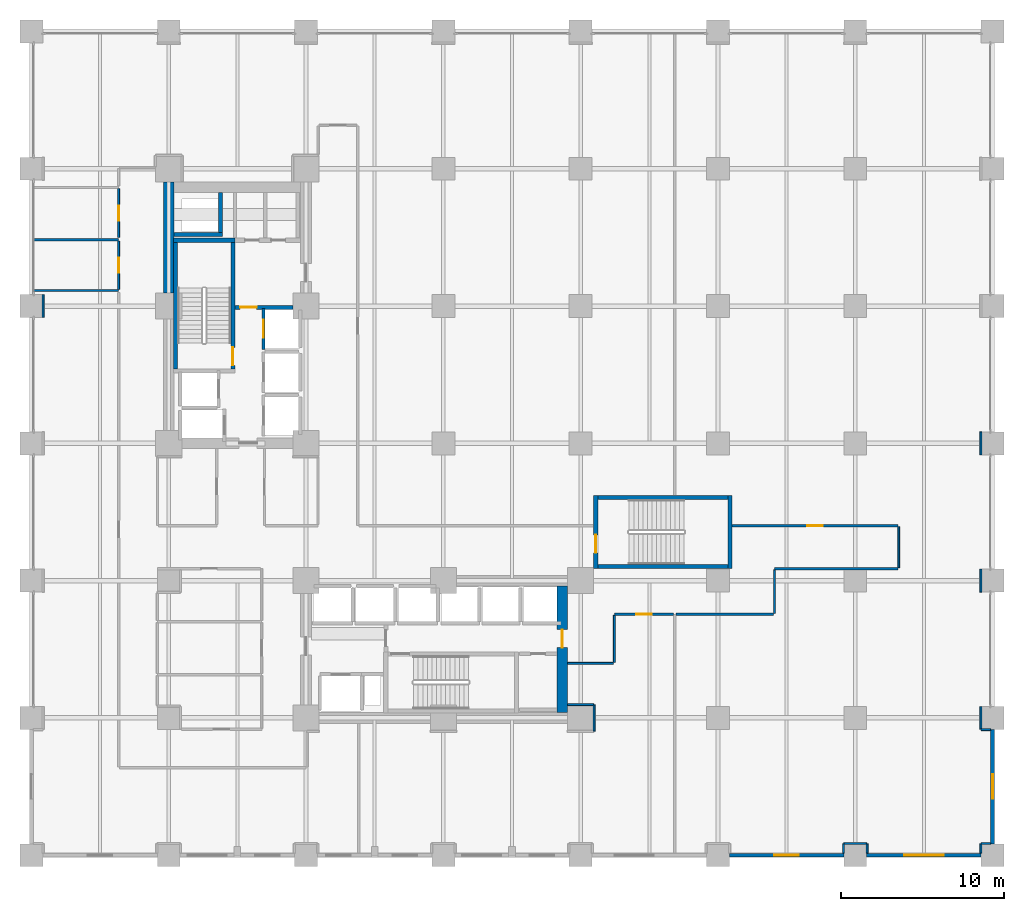
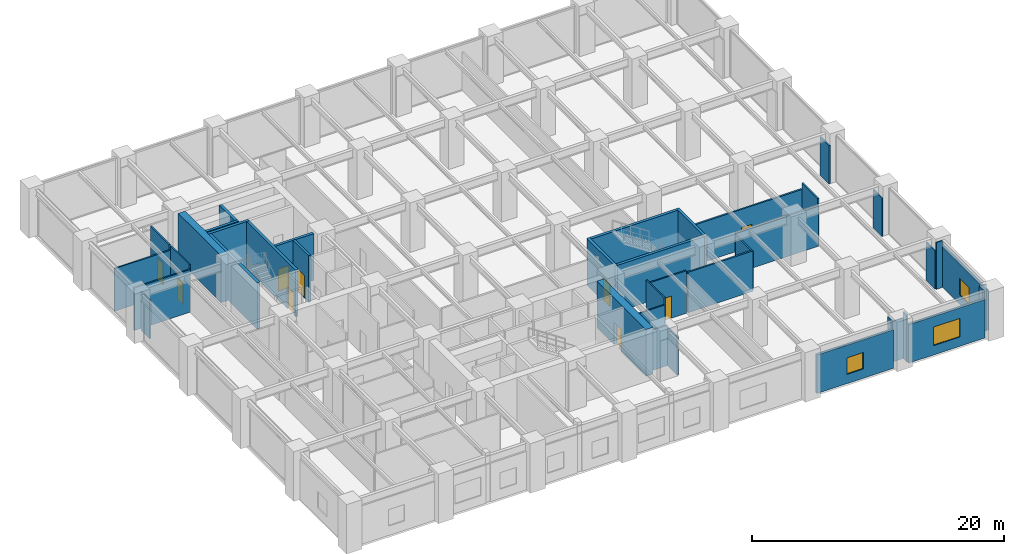
# One storey, part 21 of 23: 40 walls, 9 doors, 3 windows, 12 openings.
"""IFC4 building model written with IfcOpenShell, lengths in metres."""

from ifc_helpers import new_model, si_unit, direction, frame, frame_2d, origin, place, context, subcontext, project, spatial, rectangle, extrude, material, layer, layer_set, type_object, element, fill, save


model = new_model("IFC4")

# Units and contexts
model_context = context("Model", 3, precision=1e-05, world=origin(), true_north=direction((0.0, 1.0)))
body_context = subcontext(model_context, "Body", "Model", "MODEL_VIEW")
ifc_project = project(units=[si_unit("LENGTHUNIT", "METRE"), si_unit("AREAUNIT", "SQUARE_METRE"), si_unit("VOLUMEUNIT", "CUBIC_METRE"), si_unit("PLANEANGLEUNIT", "RADIAN"), si_unit("MASSUNIT", "GRAM", prefix="KILO")], contexts=[model_context])

# Site, building, storey
site_placement = place(None, origin())
site = spatial("IfcSite", under=ifc_project, at=site_placement, CompositionType="ELEMENT")
building_placement = place(site_placement, origin())
building = spatial("IfcBuilding", under=site, at=building_placement, Name="Nerrivon Quay Data Exchange", CompositionType="ELEMENT")
storey_placement = place(building_placement, frame((0.0, 0.0, 5.39990234375)))
storey = spatial("IfcBuildingStorey", under=building, at=storey_placement, Name="L01", CompositionType="ELEMENT", Elevation=5.39990234375)

# Wall, opening, window
ifc_material_1 = material(Name="Architectural terracotta precast concrete N50 (50 MPa)", Category="masonry")
ifc_layer_1 = layer(ifc_material_1, 0.239990234375)
ifc_layer_set_1 = layer_set([ifc_layer_1], Name="Architectural terracotta precast concrete N50 (50 MPa)")
wall_type_1 = type_object("IfcWallType", Name="EW-PREC-240", PredefinedType="STANDARD", material=ifc_layer_set_1)
wall_1_placement = place(storey_placement, frame((58.800048828125, 7.699951171875, 0.0), z_axis=(0.0, 0.0, 1.0), x_axis=(0.0, -1.0, 0.0)))
wall_1 = element("IfcWall", 1, at=wall_1_placement, inside=storey, type_object=wall_type_1, Name="L01 Podium Precast Spandrel Wall 19", PredefinedType="STANDARD", context=body_context, shape_type="SweptSolid", body=[
    extrude(rectangle(XDim=7.0, YDim=0.239990234375, at=frame_2d((3.5, 0.0))), origin(), (0.0, 0.0, 1.0), 3.9130859375),
])
opening_1_placement = place(wall_1_placement, frame((2.75, 0.0, 0.89990234375)))
opening_1 = element("IfcOpeningElement", 2, at=opening_1_placement, cuts=wall_1, Name="Opening WN4", PredefinedType="OPENING", context=body_context, shape_type="SweptSolid", body=[
    extrude(rectangle(XDim=1.5, YDim=1.60009765625, at=frame_2d((0.75, 0.800048828125))), frame((0.0, 0.1298828125, 0.0), z_axis=(0.0, -1.0, 0.0), x_axis=(1.0, 0.0, 0.0)), (0.0, 0.0, 1.0), 0.260009765625),
])
ifc_material_2 = material(Name="Double-glazed low-E solar control glass", Category="glass")
window_type_1 = type_object("IfcWindowType", Name="WIN-W4-1500x1600", PartitioningType="SINGLE_PANEL", PredefinedType="WINDOW", material=ifc_material_2)
window_1_placement = place(opening_1_placement, origin())
window_1 = element("IfcWindow", 3, at=window_1_placement, inside=storey, type_object=window_type_1, Name="L01 Solar Facade Window 19", OverallHeight=1.60009765625, OverallWidth=1.5, PartitioningType="SINGLE_PANEL", PredefinedType="WINDOW", context=body_context, shape_type="SweptSolid", body=[
    extrude(rectangle(XDim=1.5, YDim=1.60009765625, at=frame_2d((0.75, 0.800048828125))), frame((0.0, 0.030029296875, 0.0), z_axis=(0.0, -1.0, 0.0), x_axis=(1.0, 0.0, 0.0)), (0.0, 0.0, 1.0), 0.06005859375),
])
fill(opening_1, window_1)

wall_2_placement = place(storey_placement, frame((58.10009765625, 0.0, 0.0), z_axis=(0.0, 0.0, 1.0), x_axis=(-1.0, 0.0, 0.0)))
wall_2 = element("IfcWall", 4, at=wall_2_placement, inside=storey, type_object=wall_type_1, Name="L01 Podium Precast Spandrel Wall 20", PredefinedType="STANDARD", context=body_context, shape_type="SweptSolid", body=[
    extrude(rectangle(XDim=7.0, YDim=0.239990234375, at=frame_2d((3.5, 0.0))), origin(), (0.0, 0.0, 1.0), 3.72509765625),
])
opening_2_placement = place(wall_2_placement, frame((2.300048828125, 0.0, 0.89990234375)))
opening_2 = element("IfcOpeningElement", 5, at=opening_2_placement, cuts=wall_2, Name="Opening WN1", PredefinedType="OPENING", context=body_context, shape_type="SweptSolid", body=[
    extrude(rectangle(XDim=2.39990234375, YDim=1.800048828125, at=frame_2d((1.199951171875, 0.89990234375))), frame((0.0, 0.1298828125, 0.0), z_axis=(0.0, -1.0, 0.0), x_axis=(1.0, 0.0, 0.0)), (0.0, 0.0, 1.0), 0.260009765625),
])
window_type_2 = type_object("IfcWindowType", Name="WIN-W1-2400x1800", PartitioningType="SINGLE_PANEL", PredefinedType="WINDOW", material=ifc_material_2)
window_2_placement = place(opening_2_placement, origin())
window_2 = element("IfcWindow", 6, at=window_2_placement, inside=storey, type_object=window_type_2, Name="L01 Solar Facade Window 20", OverallHeight=1.800048828125, OverallWidth=2.39990234375, PartitioningType="SINGLE_PANEL", PredefinedType="WINDOW", context=body_context, shape_type="SweptSolid", body=[
    extrude(rectangle(XDim=2.39990234375, YDim=1.800048828125, at=frame_2d((1.199951171875, 0.89990234375))), frame((0.0, 0.030029296875, 0.0), z_axis=(0.0, -1.0, 0.0), x_axis=(1.0, 0.0, 0.0)), (0.0, 0.0, 1.0), 0.06005859375),
])
fill(opening_2, window_2)

wall_3_placement = place(storey_placement, frame((49.699951171875, 0.0, 0.0), z_axis=(0.0, 0.0, 1.0), x_axis=(-1.0, 0.0, 0.0)))
wall_3 = element("IfcWall", 7, at=wall_3_placement, inside=storey, type_object=wall_type_1, Name="L01 Podium Precast Spandrel Wall 21", PredefinedType="STANDARD", context=body_context, shape_type="SweptSolid", body=[
    extrude(rectangle(XDim=7.0, YDim=0.239990234375, at=frame_2d((3.5, 0.0))), origin(), (0.0, 0.0, 1.0), 3.72509765625),
])
opening_3_placement = place(wall_3_placement, frame((2.75, 0.0, 0.89990234375)))
opening_3 = element("IfcOpeningElement", 8, at=opening_3_placement, cuts=wall_3, Name="Opening WN4", PredefinedType="OPENING", context=body_context, shape_type="SweptSolid", body=[
    extrude(rectangle(XDim=1.5, YDim=1.60009765625, at=frame_2d((0.75, 0.800048828125))), frame((0.0, 0.1298828125, 0.0), z_axis=(0.0, -1.0, 0.0), x_axis=(1.0, 0.0, 0.0)), (0.0, 0.0, 1.0), 0.260009765625),
])
window_3_placement = place(opening_3_placement, origin())
window_3 = element("IfcWindow", 9, at=window_3_placement, inside=storey, type_object=window_type_1, Name="L01 Solar Facade Window 21", OverallHeight=1.60009765625, OverallWidth=1.5, PartitioningType="SINGLE_PANEL", PredefinedType="WINDOW", context=body_context, shape_type="SweptSolid", body=[
    extrude(rectangle(XDim=1.5, YDim=1.60009765625, at=frame_2d((0.75, 0.800048828125))), frame((0.0, 0.030029296875, 0.0), z_axis=(0.0, -1.0, 0.0), x_axis=(1.0, 0.0, 0.0)), (0.0, 0.0, 1.0), 0.06005859375),
])
fill(opening_3, window_3)

# Wall
ifc_material_3 = material(Name="Concrete N80 (80 MPa)", Category="concrete")
ifc_layer_2 = layer(ifc_material_3, 0.64990234375)
ifc_layer_set_2 = layer_set([ifc_layer_2], Name="Concrete N80 (80 MPa)")
wall_type_2 = type_object("IfcWallType", Name="WALL-CW-850", PredefinedType="SHEAR", material=ifc_layer_set_2)
wall_4_placement = place(storey_placement, frame((8.39990234375, 34.39990234375, 0.0), z_axis=(0.0, 0.0, 1.0), x_axis=(0.0, 1.0, 0.0)))
element("IfcWall", 10, at=wall_4_placement, inside=storey, type_object=wall_type_2, Name="L01 West Split-Core Shear Wall WCW-W2", PredefinedType="SHEAR", context=body_context, shape_type="SweptSolid", body=[
    extrude(rectangle(XDim=6.800048828125, YDim=0.64990234375, at=frame_2d((3.39990234375, 0.0))), origin(), (0.0, 0.0, 1.0), 4.525146484375),
])

# Wall, opening, door
wall_5_placement = place(storey_placement, frame((32.47509765625, 8.72509765625, 0.0), z_axis=(0.0, 0.0, 1.0), x_axis=(0.0, 1.0, 0.0)))
wall_5 = element("IfcWall", 11, at=wall_5_placement, inside=storey, type_object=wall_type_2, Name="L01 East Split-Core Shear Wall ECW-E1", PredefinedType="SHEAR", context=body_context, shape_type="SweptSolid", body=[
    extrude(rectangle(XDim=7.75, YDim=0.64990234375, at=frame_2d((3.875, 0.0))), origin(), (0.0, 0.0, 1.0), 4.525146484375),
])
opening_4_placement = place(wall_5_placement, frame((3.97509765625, 0.0, 0.0)))
opening_4 = element("IfcOpeningElement", 12, at=opening_4_placement, cuts=wall_5, Name="Opening FD-120", PredefinedType="OPENING", context=body_context, shape_type="SweptSolid", body=[
    extrude(rectangle(XDim=1.10009765625, YDim=2.14990234375, at=frame_2d((0.550048828125, 1.074951171875))), frame((0.0, 0.3349609375, 0.0), z_axis=(0.0, -1.0, 0.0), x_axis=(1.0, 0.0, 0.0)), (0.0, 0.0, 1.0), 0.669921875),
])
ifc_material_4 = material(Name="Powder-coated galvanized steel sheet", Category="steel")
door_type_1 = type_object("IfcDoorType", Name="DR-FD120-1100", OperationType="NOTDEFINED", PredefinedType="DOOR", material=ifc_material_4)
door_1_placement = place(opening_4_placement, origin())
door_1 = element("IfcDoor", 13, at=door_1_placement, inside=storey, type_object=door_type_1, Name="L01 East Core Lobby Fire Door", OperationType="SINGLE_SWING_RIGHT", OverallHeight=2.14990234375, OverallWidth=1.10009765625, PredefinedType="DOOR", context=body_context, shape_type="SweptSolid", body=[
    extrude(rectangle(XDim=1.10009765625, YDim=2.14990234375, at=frame_2d((0.550048828125, 1.074951171875))), frame((0.0, 0.02490234375, 0.0), z_axis=(0.0, -1.0, 0.0), x_axis=(1.0, 0.0, 0.0)), (0.0, 0.0, 1.0), 0.050048828125),
])
fill(opening_4, door_1)

ifc_material_5 = material(Name="Gypsum plasterboard on cold-formed framing", Category="gypsum")
ifc_layer_3 = layer(ifc_material_5, 0.199951171875)
ifc_layer_set_3 = layer_set([ifc_layer_3], Name="Gypsum plasterboard on cold-formed framing")
wall_type_3 = type_object("IfcWallType", Name="WALL-FW-200", PredefinedType="PARTITIONING", material=ifc_layer_set_3)
wall_6_placement = place(storey_placement, frame((14.199951171875, 30.949951171875, 0.0), z_axis=(0.0, 0.0, 1.0), x_axis=(0.0, 1.0, 0.0)))
wall_6 = element("IfcWall", 14, at=wall_6_placement, inside=storey, type_object=wall_type_3, Name="L01 Lift Front Wall PL3", PredefinedType="PARTITIONING", context=body_context, shape_type="SweptSolid", body=[
    extrude(rectangle(XDim=2.5, YDim=0.199951171875, at=frame_2d((1.25, 0.0))), origin(), (0.0, 0.0, 1.0), 4.525146484375),
])
opening_5_placement = place(wall_6_placement, frame((0.699951171875, 0.0, 0.0)))
opening_5 = element("IfcOpeningElement", 15, at=opening_5_placement, cuts=wall_6, Name="Opening LD-120", PredefinedType="OPENING", context=body_context, shape_type="SweptSolid", body=[
    extrude(rectangle(XDim=1.10009765625, YDim=2.199951171875, at=frame_2d((0.550048828125, 1.10009765625))), frame((0.0, 0.10986328125, 0.0), z_axis=(0.0, -1.0, 0.0), x_axis=(1.0, 0.0, 0.0)), (0.0, 0.0, 1.0), 0.219970703125),
])
door_type_2 = type_object("IfcDoorType", Name="DR-LIFT-LD120", OperationType="DOUBLE_DOOR_SLIDING", PredefinedType="DOOR", material=ifc_material_4)
door_2_placement = place(opening_5_placement, origin())
door_2 = element("IfcDoor", 16, at=door_2_placement, inside=storey, type_object=door_type_2, Name="L01 Lift Landing Sliding Door PL3", OperationType="DOUBLE_DOOR_SLIDING", OverallHeight=2.199951171875, OverallWidth=1.10009765625, PredefinedType="DOOR", context=body_context, shape_type="SweptSolid", body=[
    extrude(rectangle(XDim=1.10009765625, YDim=2.199951171875, at=frame_2d((0.550048828125, 1.10009765625))), frame((0.0, 0.02490234375, 0.0), z_axis=(0.0, -1.0, 0.0), x_axis=(1.0, 0.0, 0.0)), (0.0, 0.0, 1.0), 0.050048828125),
])
fill(opening_5, door_2)

ifc_layer_4 = layer(ifc_material_5, 0.1201171875)
ifc_layer_set_4 = layer_set([ifc_layer_4], Name="Gypsum plasterboard on cold-formed framing")
wall_type_4 = type_object("IfcWallType", Name="WALL-PT-120", PredefinedType="PARTITIONING", material=ifc_layer_set_4)
wall_7_placement = place(storey_placement, frame((5.340087890625, 34.62158203125, 0.0), z_axis=(0.0, 0.0, 1.0), x_axis=(0.0, 1.0, 0.0)))
wall_7 = element("IfcWall", 17, at=wall_7_placement, inside=storey, type_object=wall_type_4, Name="L01 Partition Accessible Toilet", PredefinedType="PARTITIONING", context=body_context, shape_type="SweptSolid", body=[
    extrude(rectangle(XDim=2.95703125, YDim=0.1201171875, at=frame_2d((1.478515625, 0.0))), origin(), (0.0, 0.0, 1.0), 4.525146484375),
])
opening_6_placement = place(wall_7_placement, frame((1.0185546875, 0.0, 0.0)))
opening_6 = element("IfcOpeningElement", 18, at=opening_6_placement, cuts=wall_7, Name="Opening D-WC", PredefinedType="OPENING", context=body_context, shape_type="SweptSolid", body=[
    extrude(rectangle(XDim=0.919921875, YDim=2.10009765625, at=frame_2d((0.4599609375, 1.050048828125))), frame((0.0, 0.070068359375, 0.0), z_axis=(0.0, -1.0, 0.0), x_axis=(1.0, 0.0, 0.0)), (0.0, 0.0, 1.0), 0.14013671875),
])
ifc_material_6 = material(Name="Engineered hardwood timber", Category="wood")
door_type_3 = type_object("IfcDoorType", Name="DR-WC-920", OperationType="NOTDEFINED", PredefinedType="DOOR", material=ifc_material_6)
door_3_placement = place(opening_6_placement, origin())
door_3 = element("IfcDoor", 19, at=door_3_placement, inside=storey, type_object=door_type_3, Name="L01 Door Accessible Toilet", OperationType="SINGLE_SWING_RIGHT", OverallHeight=2.10009765625, OverallWidth=0.919921875, PredefinedType="DOOR", context=body_context, shape_type="SweptSolid", body=[
    extrude(rectangle(XDim=0.919921875, YDim=2.10009765625, at=frame_2d((0.4599609375, 1.050048828125))), frame((0.0, 0.02490234375, 0.0), z_axis=(0.0, -1.0, 0.0), x_axis=(1.0, 0.0, 0.0)), (0.0, 0.0, 1.0), 0.050048828125),
])
fill(opening_6, door_3)

wall_8_placement = place(storey_placement, frame((5.340087890625, 37.800048828125, 0.0), z_axis=(0.0, 0.0, 1.0), x_axis=(0.0, 1.0, 0.0)))
wall_8 = element("IfcWall", 20, at=wall_8_placement, inside=storey, type_object=wall_type_4, Name="L01 Partition Public Washrooms", PredefinedType="PARTITIONING", context=body_context, shape_type="SweptSolid", body=[
    extrude(rectangle(XDim=2.978515625, YDim=0.1201171875, at=frame_2d((1.4892578125, 0.0))), origin(), (0.0, 0.0, 1.0), 4.525146484375),
])
opening_7_placement = place(wall_8_placement, frame((1.029296875, 0.0, 0.0)))
opening_7 = element("IfcOpeningElement", 21, at=opening_7_placement, cuts=wall_8, Name="Opening D-WC", PredefinedType="OPENING", context=body_context, shape_type="SweptSolid", body=[
    extrude(rectangle(XDim=0.919921875, YDim=2.10009765625, at=frame_2d((0.4599609375, 1.050048828125))), frame((0.0, 0.070068359375, 0.0), z_axis=(0.0, -1.0, 0.0), x_axis=(1.0, 0.0, 0.0)), (0.0, 0.0, 1.0), 0.14013671875),
])
door_4_placement = place(opening_7_placement, origin())
door_4 = element("IfcDoor", 22, at=door_4_placement, inside=storey, type_object=door_type_3, Name="L01 Door Public Washrooms", OperationType="SINGLE_SWING_LEFT", OverallHeight=2.10009765625, OverallWidth=0.919921875, PredefinedType="DOOR", context=body_context, shape_type="SweptSolid", body=[
    extrude(rectangle(XDim=0.919921875, YDim=2.10009765625, at=frame_2d((0.4599609375, 1.050048828125))), frame((0.0, 0.02490234375, 0.0), z_axis=(0.0, -1.0, 0.0), x_axis=(1.0, 0.0, 0.0)), (0.0, 0.0, 1.0), 0.050048828125),
])
fill(opening_7, door_4)

# Walls
wall_9_placement = place(storey_placement, frame((32.803955078125, 9.219970703125, 0.0), z_axis=(0.0, 0.0, 1.0), x_axis=(1.0, 0.0, 0.0)))
element("IfcWall", 23, at=wall_9_placement, inside=storey, type_object=wall_type_4, Name="L01 Partition Client Conference Room 1", PredefinedType="PARTITIONING", context=body_context, shape_type="SweptSolid", body=[
    extrude(rectangle(XDim=1.595947265625, YDim=0.1201171875, at=frame_2d((0.7978515625, 0.0))), origin(), (0.0, 0.0, 1.0), 3.9130859375),
])
wall_10_placement = place(storey_placement, frame((34.419921875, 9.199951171875, 0.0), z_axis=(0.0, 0.0, 1.0), x_axis=(0.0, -1.0, 0.0)))
element("IfcWall", 24, at=wall_10_placement, inside=storey, type_object=wall_type_4, Name="L01 Partition Client Conference Room 1", PredefinedType="PARTITIONING", context=body_context, shape_type="SweptSolid", body=[
    extrude(rectangle(XDim=1.599853515625, YDim=0.1201171875, at=frame_2d((0.7998046875, 0.0))), origin(), (0.0, 0.0, 1.0), 3.72509765625),
])
wall_11_placement = place(storey_placement, frame((35.659912109375, 14.66845703125, 0.0), z_axis=(0.0, 0.0, 1.0), x_axis=(0.0, -1.0, 0.0)))
element("IfcWall", 25, at=wall_11_placement, inside=storey, type_object=wall_type_4, Name="L01 Partition Client Conference Room 1", PredefinedType="PARTITIONING", context=body_context, shape_type="SweptSolid", body=[
    extrude(rectangle(XDim=2.868408203125, YDim=0.1201171875, at=frame_2d((1.43408203125, 0.0))), origin(), (0.0, 0.0, 1.0), 4.525146484375),
])
wall_12_placement = place(storey_placement, frame((35.60009765625, 11.739990234375, 0.0), z_axis=(0.0, 0.0, 1.0), x_axis=(-1.0, 0.0, 0.0)))
element("IfcWall", 26, at=wall_12_placement, inside=storey, type_object=wall_type_4, Name="L01 Partition Client Conference Room 1", PredefinedType="PARTITIONING", context=body_context, shape_type="SweptSolid", body=[
    extrude(rectangle(XDim=2.796142578125, YDim=0.1201171875, at=frame_2d((1.39794921875, 0.0))), origin(), (0.0, 0.0, 1.0), 3.9130859375),
])
wall_13_placement = place(storey_placement, frame((0.719970703125, 34.300048828125, 0.0), z_axis=(0.0, 0.0, 1.0), x_axis=(0.0, -1.0, 0.0)))
element("IfcWall", 27, at=wall_13_placement, inside=storey, type_object=wall_type_4, Name="L01 Partition Technical Library", PredefinedType="PARTITIONING", context=body_context, shape_type="SweptSolid", body=[
    extrude(rectangle(XDim=1.400146484375, YDim=0.1201171875, at=frame_2d((0.7001953125, 0.0))), origin(), (0.0, 0.0, 1.0), 3.72509765625),
])
wall_14_placement = place(storey_placement, frame((49.679931640625, 0.1240234375, 0.0), z_axis=(0.0, 0.0, 1.0), x_axis=(0.0, 1.0, 0.0)))
element("IfcWall", 28, at=wall_14_placement, inside=storey, type_object=wall_type_4, Name="L01 Partition Subsea Meet-Me Operations Workspace 9", PredefinedType="PARTITIONING", context=body_context, shape_type="SweptSolid", body=[
    extrude(rectangle(XDim=0.575927734375, YDim=0.1201171875, at=frame_2d((0.2880859375, 0.0))), origin(), (0.0, 0.0, 1.0), 4.525146484375),
])
wall_15_placement = place(storey_placement, frame((49.699951171875, 0.719970703125, 0.0), z_axis=(0.0, 0.0, 1.0), x_axis=(1.0, 0.0, 0.0)))
element("IfcWall", 29, at=wall_15_placement, inside=storey, type_object=wall_type_4, Name="L01 Partition Subsea Meet-Me Operations Workspace 9", PredefinedType="PARTITIONING", context=body_context, shape_type="SweptSolid", body=[
    extrude(rectangle(XDim=1.400146484375, YDim=0.1201171875, at=frame_2d((0.7001953125, 0.0))), origin(), (0.0, 0.0, 1.0), 3.9130859375),
])
for number, where, z_axis, x_axis, name in (
    (30, (51.1201171875, 0.699951171875, 0.0), (0.0, 0.0, 1.0), (0.0, -1.0, 0.0), "L01 Partition Subsea Meet-Me Operations Workspace 9"),
    (31, (58.080078125, 0.1240234375, 0.0), (0.0, 0.0, 1.0), (0.0, 1.0, 0.0), "L01 Partition Subsea Meet-Me Operations Workspace 9"),
    (32, (58.10009765625, 0.719970703125, 0.0), (0.0, 0.0, 1.0), (1.0, 0.0, 0.0), "L01 Partition Subsea Meet-Me Operations Workspace 9"),
    (33, (58.676025390625, 7.679931640625, 0.0), (0.0, 0.0, 1.0), (-1.0, 0.0, 0.0), "L01 Partition Subsea Meet-Me Operations Workspace 9"),
):
    element("IfcWall", number, at=place(storey_placement, frame(where, z_axis=z_axis, x_axis=x_axis)), inside=storey, type_object=wall_type_4, Name=name, PredefinedType="PARTITIONING", context=body_context, shape_type="SweptSolid", body=[
        extrude(rectangle(XDim=0.575927734375, YDim=0.1201171875, at=frame_2d((0.2880859375, 0.0))), origin(), (0.0, 0.0, 1.0), 4.525146484375),
    ])
wall_16_placement = place(storey_placement, frame((58.080078125, 7.699951171875, 0.0), z_axis=(0.0, 0.0, 1.0), x_axis=(0.0, 1.0, 0.0)))
element("IfcWall", 34, at=wall_16_placement, inside=storey, type_object=wall_type_4, Name="L01 Partition Subsea Meet-Me Operations Workspace 9", PredefinedType="PARTITIONING", context=body_context, shape_type="SweptSolid", body=[
    extrude(rectangle(XDim=1.400146484375, YDim=0.1201171875, at=frame_2d((0.7001953125, 0.0))), origin(), (0.0, 0.0, 1.0), 3.72509765625),
])
for number, where, z_axis, x_axis, name in (
    (35, (58.080078125, 16.10009765625, 0.0), (0.0, 0.0, 1.0), (0.0, 1.0, 0.0), "L01 Partition Subsea Meet-Me Operations Workspace 9"),
    (36, (58.080078125, 24.5, 0.0), (0.0, 0.0, 1.0), (0.0, 1.0, 0.0), "L01 Partition Subsea Meet-Me Operations Workspace 9"),
):
    element("IfcWall", number, at=place(storey_placement, frame(where, z_axis=z_axis, x_axis=x_axis)), inside=storey, type_object=wall_type_4, Name=name, PredefinedType="PARTITIONING", context=body_context, shape_type="SweptSolid", body=[
        extrude(rectangle(XDim=1.39990234375, YDim=0.1201171875, at=frame_2d((0.699951171875, 0.0))), origin(), (0.0, 0.0, 1.0), 3.72509765625),
    ])
wall_17_placement = place(storey_placement, frame((53.06005859375, 20.10009765625, 0.0), z_axis=(0.0, 0.0, 1.0), x_axis=(0.0, -1.0, 0.0)))
element("IfcWall", 37, at=wall_17_placement, inside=storey, type_object=wall_type_4, Name="L01 Partition Subsea Meet-Me Operations Workspace 9", PredefinedType="PARTITIONING", context=body_context, shape_type="SweptSolid", body=[
    extrude(rectangle(XDim=2.5, YDim=0.1201171875, at=frame_2d((1.25, 0.0))), origin(), (0.0, 0.0, 1.0), 4.525146484375),
])
wall_18_placement = place(storey_placement, frame((45.4599609375, 17.4609375, 0.0), z_axis=(0.0, 0.0, 1.0), x_axis=(0.0, -1.0, 0.0)))
element("IfcWall", 38, at=wall_18_placement, inside=storey, type_object=wall_type_4, Name="L01 Partition Subsea Meet-Me Operations Workspace 9", PredefinedType="PARTITIONING", context=body_context, shape_type="SweptSolid", body=[
    extrude(rectangle(XDim=2.660888671875, YDim=0.1201171875, at=frame_2d((1.33056640625, 0.0))), origin(), (0.0, 0.0, 1.0), 3.72509765625),
])
ifc_layer_5 = layer(ifc_material_5, 0.135009765625)
ifc_layer_set_5 = layer_set([ifc_layer_5], Name="Gypsum plasterboard on cold-formed framing")
wall_type_5 = type_object("IfcWallType", Name="WALL-PT-135", PredefinedType="PARTITIONING", material=ifc_layer_set_5)
for number, where, z_axis, x_axis, name in (
    (39, (5.340087890625, 37.64990234375, 0.0), (0.0, 0.0, 1.0), (-1.0, 0.0, 0.0), "L01 Partition Accessible Toilet"),
    (40, (0.1689453125, 34.550048828125, 0.0), (0.0, 0.0, 1.0), (1.0, 0.0, 0.0), "L01 Partition Accessible Toilet"),
):
    element("IfcWall", number, at=place(storey_placement, frame(where, z_axis=z_axis, x_axis=x_axis)), inside=storey, type_object=wall_type_5, Name=name, PredefinedType="PARTITIONING", context=body_context, shape_type="SweptSolid", body=[
        extrude(rectangle(XDim=5.171142578125, YDim=0.135009765625, at=frame_2d((2.58544921875, 0.0))), origin(), (0.0, 0.0, 1.0), 4.1220703125),
    ])

# Wall, opening, door
wall_19_placement = place(storey_placement, frame((39.282958984375, 14.739990234375, 0.0), z_axis=(0.0, 0.0, 1.0), x_axis=(-1.0, 0.0, 0.0)))
wall_19 = element("IfcWall", 41, at=wall_19_placement, inside=storey, type_object=wall_type_5, Name="L01 Partition Client Conference Room 1", PredefinedType="PARTITIONING", context=body_context, shape_type="SweptSolid", body=[
    extrude(rectangle(XDim=3.623046875, YDim=0.135009765625, at=frame_2d((1.8115234375, 0.0))), origin(), (0.0, 0.0, 1.0), 4.1220703125),
])
opening_8_placement = place(wall_19_placement, frame((1.33642578125, 0.0, 0.0)))
opening_8 = element("IfcOpeningElement", 42, at=opening_8_placement, cuts=wall_19, Name="Opening D-01", PredefinedType="OPENING", context=body_context, shape_type="SweptSolid", body=[
    extrude(rectangle(XDim=0.949951171875, YDim=2.14990234375, at=frame_2d((0.47509765625, 1.074951171875))), frame((0.0, 0.077392578125, 0.0), z_axis=(0.0, -1.0, 0.0), x_axis=(1.0, 0.0, 0.0)), (0.0, 0.0, 1.0), 0.155029296875),
])
door_type_4 = type_object("IfcDoorType", Name="DR-INT-950", OperationType="NOTDEFINED", PredefinedType="DOOR", material=ifc_material_6)
door_5_placement = place(opening_8_placement, origin())
door_5 = element("IfcDoor", 43, at=door_5_placement, inside=storey, type_object=door_type_4, Name="L01 Door Client Conference Room 1", OperationType="SINGLE_SWING_RIGHT", OverallHeight=2.14990234375, OverallWidth=0.949951171875, PredefinedType="DOOR", context=body_context, shape_type="SweptSolid", body=[
    extrude(rectangle(XDim=0.949951171875, YDim=2.14990234375, at=frame_2d((0.47509765625, 1.074951171875))), frame((0.0, 0.02490234375, 0.0), z_axis=(0.0, -1.0, 0.0), x_axis=(1.0, 0.0, 0.0)), (0.0, 0.0, 1.0), 0.050048828125),
])
fill(opening_8, door_5)

# Wall
ifc_layer_6 = layer(ifc_material_5, 0.14990234375)
ifc_layer_set_6 = layer_set([ifc_layer_6], Name="Gypsum plasterboard on cold-formed framing")
wall_type_6 = type_object("IfcWallType", Name="WALL-PT-150", PredefinedType="PARTITIONING", material=ifc_layer_set_6)
wall_20_placement = place(storey_placement, frame((45.39990234375, 14.739990234375, 0.0), z_axis=(0.0, 0.0, 1.0), x_axis=(-1.0, 0.0, 0.0)))
element("IfcWall", 44, at=wall_20_placement, inside=storey, type_object=wall_type_6, Name="L01 Partition Subsea Meet-Me Operations Workspace 9", PredefinedType="PARTITIONING", context=body_context, shape_type="SweptSolid", body=[
    extrude(rectangle(XDim=5.958984375, YDim=0.14990234375, at=frame_2d((2.9794921875, 0.0))), origin(), (0.0, 0.0, 1.0), 3.9130859375),
])

# Wall, opening, door
wall_21_placement = place(storey_placement, frame((42.85400390625, 20.159912109375, 0.0), z_axis=(0.0, 0.0, 1.0), x_axis=(1.0, 0.0, 0.0)))
wall_21 = element("IfcWall", 45, at=wall_21_placement, inside=storey, type_object=wall_type_6, Name="L01 Partition Subsea Meet-Me Operations Workspace 9", PredefinedType="PARTITIONING", context=body_context, shape_type="SweptSolid", body=[
    extrude(rectangle(XDim=10.14599609375, YDim=0.14990234375, at=frame_2d((5.072998046875, 0.0))), origin(), (0.0, 0.0, 1.0), 3.9130859375),
])
opening_9_placement = place(wall_21_placement, frame((4.597900390625, 0.0, 0.0)))
opening_9 = element("IfcOpeningElement", 46, at=opening_9_placement, cuts=wall_21, Name="Opening D-01", PredefinedType="OPENING", context=body_context, shape_type="SweptSolid", body=[
    extrude(rectangle(XDim=0.949951171875, YDim=2.14990234375, at=frame_2d((0.47509765625, 1.074951171875))), frame((0.0, 0.0849609375, 0.0), z_axis=(0.0, -1.0, 0.0), x_axis=(1.0, 0.0, 0.0)), (0.0, 0.0, 1.0), 0.169921875),
])
door_6_placement = place(opening_9_placement, origin())
door_6 = element("IfcDoor", 47, at=door_6_placement, inside=storey, type_object=door_type_4, Name="L01 Door Subsea Meet-Me Operations Workspace 9", OperationType="SINGLE_SWING_LEFT", OverallHeight=2.14990234375, OverallWidth=0.949951171875, PredefinedType="DOOR", context=body_context, shape_type="SweptSolid", body=[
    extrude(rectangle(XDim=0.949951171875, YDim=2.14990234375, at=frame_2d((0.47509765625, 1.074951171875))), frame((0.0, 0.02490234375, 0.0), z_axis=(0.0, -1.0, 0.0), x_axis=(1.0, 0.0, 0.0)), (0.0, 0.0, 1.0), 0.050048828125),
])
fill(opening_9, door_6)

# Walls
wall_22_placement = place(storey_placement, frame((53.0, 17.5400390625, 0.0), z_axis=(0.0, 0.0, 1.0), x_axis=(-1.0, 0.0, 0.0)))
element("IfcWall", 48, at=wall_22_placement, inside=storey, type_object=wall_type_6, Name="L01 Partition Subsea Meet-Me Operations Workspace 9", PredefinedType="PARTITIONING", context=body_context, shape_type="SweptSolid", body=[
    extrude(rectangle(XDim=7.5400390625, YDim=0.14990234375, at=frame_2d((3.77001953125, 0.0))), origin(), (0.0, 0.0, 1.0), 3.9130859375),
])
ifc_material_7 = material(Name="Concrete N50 (50 MPa)", Category="concrete")
ifc_layer_7 = layer(ifc_material_7, 0.25)
ifc_layer_set_7 = layer_set([ifc_layer_7], Name="Concrete N50 (50 MPa)")
wall_type_7 = type_object("IfcWallType", Name="WALL-SW-250", PredefinedType="SHEAR", material=ifc_layer_set_7)
wall_23_placement = place(storey_placement, frame((12.449951171875, 37.625, 0.0), z_axis=(0.0, 0.0, 1.0), x_axis=(-1.0, 0.0, 0.0)))
element("IfcWall", 49, at=wall_23_placement, inside=storey, type_object=wall_type_7, Name="L01 ST01 Structural Stair Core Wall FAR", PredefinedType="SHEAR", context=body_context, shape_type="SweptSolid", body=[
    extrude(rectangle(XDim=3.75, YDim=0.25, at=frame_2d((1.875, 0.0))), origin(), (0.0, 0.0, 1.0), 4.525146484375),
])

# Wall, opening, door
wall_24_placement = place(storey_placement, frame((12.324951171875, 29.75, 0.0), z_axis=(0.0, 0.0, 1.0), x_axis=(0.0, 1.0, 0.0)))
wall_24 = element("IfcWall", 50, at=wall_24_placement, inside=storey, type_object=wall_type_7, Name="L01 ST01 Structural Stair Core Wall LEFT", PredefinedType="SHEAR", context=body_context, shape_type="SweptSolid", body=[
    extrude(rectangle(XDim=7.75, YDim=0.25, at=frame_2d((3.875, 0.0))), origin(), (0.0, 0.0, 1.0), 4.525146484375),
])
opening_10_placement = place(wall_24_placement, frame((0.219970703125, 0.0, 0.0)))
opening_10 = element("IfcOpeningElement", 51, at=opening_10_placement, cuts=wall_24, Name="Opening FD-120", PredefinedType="OPENING", context=body_context, shape_type="SweptSolid", body=[
    extrude(rectangle(XDim=1.10009765625, YDim=2.14990234375, at=frame_2d((0.550048828125, 1.074951171875))), frame((0.0, 0.135009765625, 0.0), z_axis=(0.0, -1.0, 0.0), x_axis=(1.0, 0.0, 0.0)), (0.0, 0.0, 1.0), 0.27001953125),
])
door_7_placement = place(opening_10_placement, origin())
door_7 = element("IfcDoor", 52, at=door_7_placement, inside=storey, type_object=door_type_1, Name="L01 Protected Stair Door ST01", OperationType="SINGLE_SWING_RIGHT", OverallHeight=2.14990234375, OverallWidth=1.10009765625, PredefinedType="DOOR", context=body_context, shape_type="SweptSolid", body=[
    extrude(rectangle(XDim=1.10009765625, YDim=2.14990234375, at=frame_2d((0.550048828125, 1.074951171875))), frame((0.0, 0.02490234375, 0.0), z_axis=(0.0, -1.0, 0.0), x_axis=(1.0, 0.0, 0.0)), (0.0, 0.0, 1.0), 0.050048828125),
])
fill(opening_10, door_7)

# Wall
wall_25_placement = place(storey_placement, frame((8.824951171875, 29.75, 0.0), z_axis=(0.0, 0.0, 1.0), x_axis=(0.0, 1.0, 0.0)))
element("IfcWall", 53, at=wall_25_placement, inside=storey, type_object=wall_type_7, Name="L01 ST01 Structural Stair Core Wall RIGHT", PredefinedType="SHEAR", context=body_context, shape_type="SweptSolid", body=[
    extrude(rectangle(XDim=7.75, YDim=0.25, at=frame_2d((3.875, 0.0))), origin(), (0.0, 0.0, 1.0), 4.525146484375),
])

# Wall, opening, door
wall_26_placement = place(storey_placement, frame((34.52490234375, 17.550048828125, 0.0), z_axis=(0.0, 0.0, 1.0), x_axis=(0.0, 1.0, 0.0)))
wall_26 = element("IfcWall", 54, at=wall_26_placement, inside=storey, type_object=wall_type_7, Name="L01 ST03 Structural Stair Core Wall NEAR", PredefinedType="SHEAR", context=body_context, shape_type="SweptSolid", body=[
    extrude(rectangle(XDim=4.449951171875, YDim=0.25, at=frame_2d((2.22509765625, 0.0))), origin(), (0.0, 0.0, 1.0), 4.525146484375),
])
opening_11_placement = place(wall_26_placement, frame((0.949951171875, 0.0, 0.0)))
opening_11 = element("IfcOpeningElement", 55, at=opening_11_placement, cuts=wall_26, Name="Opening FD-120", PredefinedType="OPENING", context=body_context, shape_type="SweptSolid", body=[
    extrude(rectangle(XDim=1.10009765625, YDim=2.14990234375, at=frame_2d((0.550048828125, 1.074951171875))), frame((0.0, 0.135009765625, 0.0), z_axis=(0.0, -1.0, 0.0), x_axis=(1.0, 0.0, 0.0)), (0.0, 0.0, 1.0), 0.27001953125),
])
door_8_placement = place(opening_11_placement, origin())
door_8 = element("IfcDoor", 56, at=door_8_placement, inside=storey, type_object=door_type_1, Name="L01 Protected Stair Door ST03", OperationType="SINGLE_SWING_RIGHT", OverallHeight=2.14990234375, OverallWidth=1.10009765625, PredefinedType="DOOR", context=body_context, shape_type="SweptSolid", body=[
    extrude(rectangle(XDim=1.10009765625, YDim=2.14990234375, at=frame_2d((0.550048828125, 1.074951171875))), frame((0.0, 0.02490234375, 0.0), z_axis=(0.0, -1.0, 0.0), x_axis=(1.0, 0.0, 0.0)), (0.0, 0.0, 1.0), 0.050048828125),
])
fill(opening_11, door_8)

# Walls
wall_27_placement = place(storey_placement, frame((42.72509765625, 17.550048828125, 0.0), z_axis=(0.0, 0.0, 1.0), x_axis=(0.0, 1.0, 0.0)))
element("IfcWall", 57, at=wall_27_placement, inside=storey, type_object=wall_type_7, Name="L01 ST03 Structural Stair Core Wall FAR", PredefinedType="SHEAR", context=body_context, shape_type="SweptSolid", body=[
    extrude(rectangle(XDim=4.449951171875, YDim=0.25, at=frame_2d((2.22509765625, 0.0))), origin(), (0.0, 0.0, 1.0), 4.525146484375),
])
for number, where, z_axis, x_axis, name in (
    (58, (34.64990234375, 17.675048828125, 0.0), (0.0, 0.0, 1.0), (1.0, 0.0, 0.0), "L01 ST03 Structural Stair Core Wall LEFT"),
    (59, (34.64990234375, 21.875, 0.0), (0.0, 0.0, 1.0), (1.0, 0.0, 0.0), "L01 ST03 Structural Stair Core Wall RIGHT"),
):
    element("IfcWall", number, at=place(storey_placement, frame(where, z_axis=z_axis, x_axis=x_axis)), inside=storey, type_object=wall_type_7, Name=name, PredefinedType="SHEAR", context=body_context, shape_type="SweptSolid", body=[
        extrude(rectangle(XDim=7.9501953125, YDim=0.25, at=frame_2d((3.97509765625, 0.0))), origin(), (0.0, 0.0, 1.0), 4.525146484375),
    ])
wall_28_placement = place(storey_placement, frame((8.72509765625, 37.97509765625, 0.0), z_axis=(0.0, 0.0, 1.0), x_axis=(1.0, 0.0, 0.0)))
element("IfcWall", 60, at=wall_28_placement, inside=storey, type_object=wall_type_7, Name="L01 West Core MEP Riser Shaft Wall S", PredefinedType="SHEAR", context=body_context, shape_type="SweptSolid", body=[
    extrude(rectangle(XDim=2.974853515625, YDim=0.25, at=frame_2d((1.4873046875, 0.0))), origin(), (0.0, 0.0, 1.0), 4.525146484375),
])
wall_29_placement = place(storey_placement, frame((11.574951171875, 38.10009765625, 0.0), z_axis=(0.0, 0.0, 1.0), x_axis=(0.0, 1.0, 0.0)))
element("IfcWall", 61, at=wall_29_placement, inside=storey, type_object=wall_type_7, Name="L01 West Core MEP Riser Shaft Wall E", PredefinedType="SHEAR", context=body_context, shape_type="SweptSolid", body=[
    extrude(rectangle(XDim=2.449951171875, YDim=0.25, at=frame_2d((1.22509765625, 0.0))), origin(), (0.0, 0.0, 1.0), 4.525146484375),
])

# Wall, opening, door
wall_30_placement = place(storey_placement, frame((12.449951171875, 33.52001953125, 0.0), z_axis=(0.0, 0.0, 1.0), x_axis=(1.0, 0.0, 0.0)))
wall_30 = element("IfcWall", 62, at=wall_30_placement, inside=storey, type_object=wall_type_7, Name="L01 West Lobby Smoke-Stop Wall", PredefinedType="SHEAR", context=body_context, shape_type="SweptSolid", body=[
    extrude(rectangle(XDim=3.550048828125, YDim=0.25, at=frame_2d((1.77490234375, 0.0))), origin(), (0.0, 0.0, 1.0), 4.525146484375),
])
opening_12_placement = place(wall_30_placement, frame((0.320068359375, 0.0, 0.0)))
opening_12 = element("IfcOpeningElement", 63, at=opening_12_placement, cuts=wall_30, Name="Opening FD-60", PredefinedType="OPENING", context=body_context, shape_type="SweptSolid", body=[
    extrude(rectangle(XDim=1.0, YDim=2.14990234375, at=frame_2d((0.5, 1.074951171875))), frame((0.0, 0.135009765625, 0.0), z_axis=(0.0, -1.0, 0.0), x_axis=(1.0, 0.0, 0.0)), (0.0, 0.0, 1.0), 0.27001953125),
])
door_type_5 = type_object("IfcDoorType", Name="DR-FD60-1000", OperationType="NOTDEFINED", PredefinedType="DOOR", material=ifc_material_6)
door_9_placement = place(opening_12_placement, origin())
door_9 = element("IfcDoor", 64, at=door_9_placement, inside=storey, type_object=door_type_5, Name="L01 West Firefighting Lobby Fire Door", OperationType="SINGLE_SWING_LEFT", OverallHeight=2.14990234375, OverallWidth=1.0, PredefinedType="DOOR", context=body_context, shape_type="SweptSolid", body=[
    extrude(rectangle(XDim=1.0, YDim=2.14990234375, at=frame_2d((0.5, 1.074951171875))), frame((0.0, 0.02490234375, 0.0), z_axis=(0.0, -1.0, 0.0), x_axis=(1.0, 0.0, 0.0)), (0.0, 0.0, 1.0), 0.050048828125),
])
fill(opening_12, door_9)

save(model, "model.ifc")
